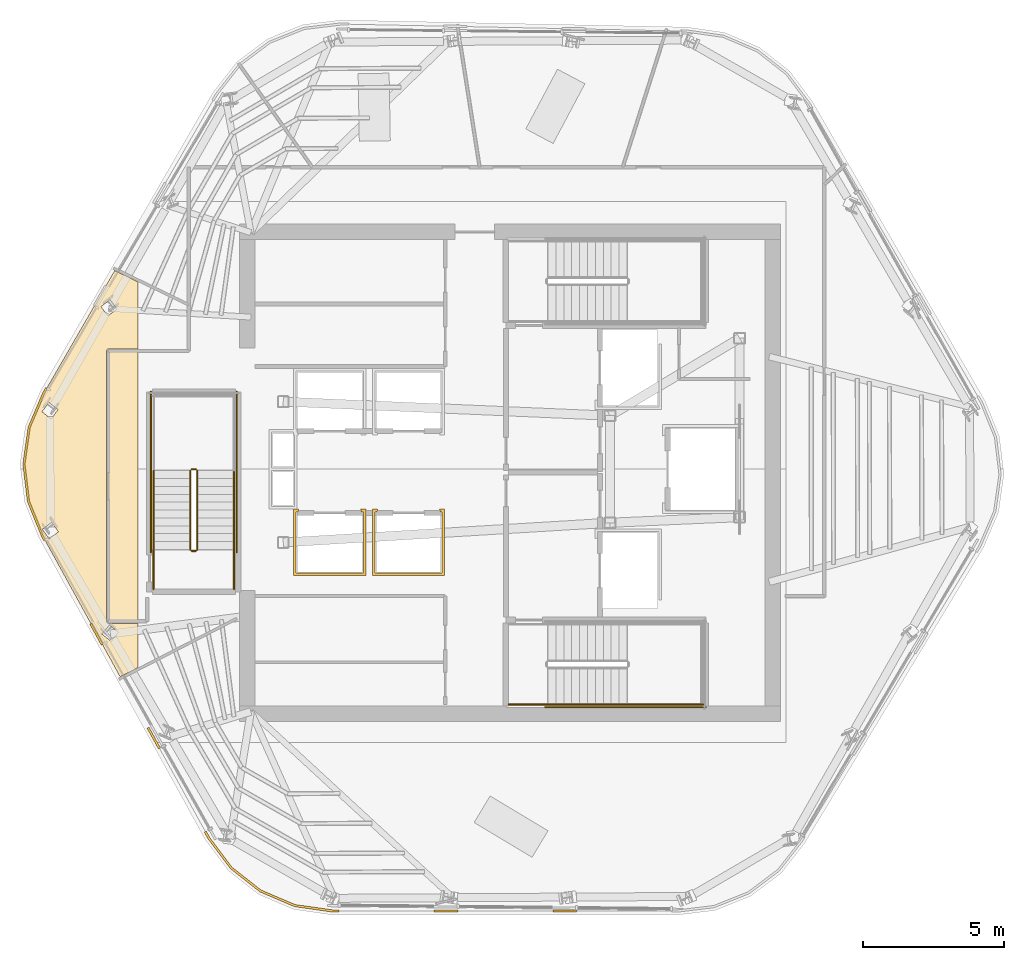
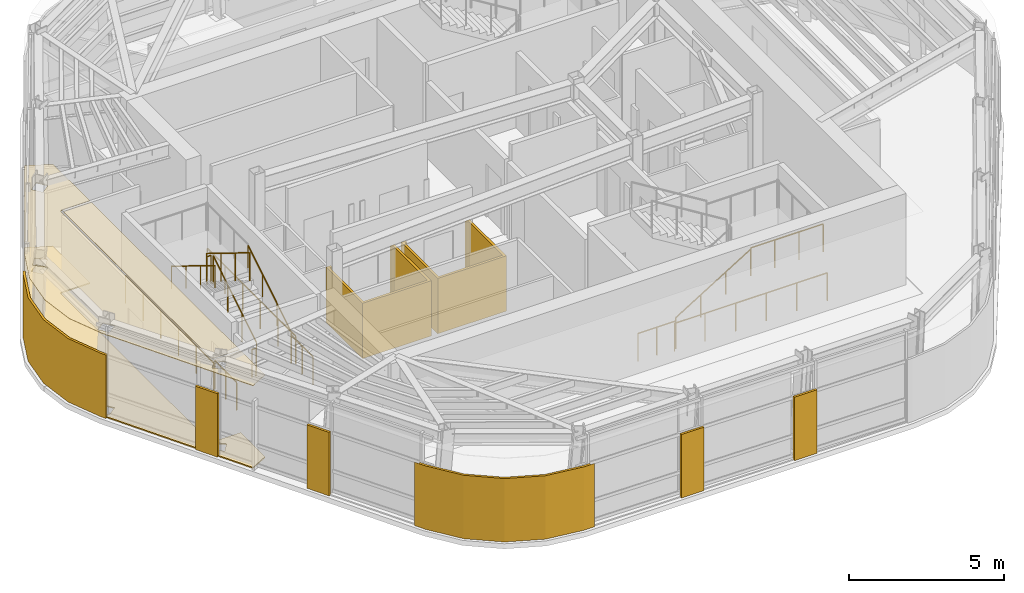
# One storey, part 9 of 13: 14 railings, 11 coverings.
"""IFC4 building model written with IfcOpenShell, lengths in metres."""

from ifc_helpers import new_model, si_unit, direction, frame, origin, origin_2d, place, context, subcontext, project, spatial, polyline, circle, outline, extrude, material, layer, layer_set, type_object, element, save


model = new_model("IFC4")

# Units and contexts
model_context = context("Model", 3, precision=1e-05, world=origin(), true_north=direction((0.0, 1.0)))
body_context = subcontext(model_context, "Body", "Model", "MODEL_VIEW")
ifc_project = project(units=[si_unit("LENGTHUNIT", "METRE"), si_unit("AREAUNIT", "SQUARE_METRE"), si_unit("VOLUMEUNIT", "CUBIC_METRE"), si_unit("PLANEANGLEUNIT", "RADIAN"), si_unit("MASSUNIT", "GRAM", prefix="KILO")], contexts=[model_context])

# Site, building, storey
site_placement = place(None, origin())
site = spatial("IfcSite", under=ifc_project, at=site_placement, CompositionType="ELEMENT")
building_placement = place(site_placement, origin())
building = spatial("IfcBuilding", under=site, at=building_placement, Name="Valkerne Bourse Tower", CompositionType="ELEMENT")
storey_placement = place(building_placement, frame((0.0, 0.0, 281.199951171875)))
storey = spatial("IfcBuildingStorey", under=building, at=storey_placement, Name="L71", CompositionType="ELEMENT", Elevation=281.199951171875)

# Coverings
ifc_material_1 = material(Name="Mineral Fiber Acoustic Ceiling Tile", Category="acoustic")
ifc_layer_1 = layer(ifc_material_1, 0.02490234375)
ifc_layer_set_1 = layer_set([ifc_layer_1], Name="Mineral Fiber Acoustic Ceiling Tile")
covering_type_1 = type_object("IfcCoveringType", Name="COV-CEIL-ACT", PredefinedType="CEILING", material=ifc_layer_set_1)
covering_1_placement = place(storey_placement, frame((0.0, 0.0, 3.25)))
element("IfcCovering", 1, at=covering_1_placement, inside=storey, type_object=covering_type_1, Name="L71 Suspended Ceiling 07", PredefinedType="CEILING", context=body_context, shape_type="SweptSolid", body=[
    extrude(outline(polyline([(29.550537109375, 27.1806640625), (29.736572265625, 28.487060546875), (30.25830078125, 29.710205078125), (32.767578125, 34.05029296875), (33.60009765625, 33.6455078125), (33.60009765625, 31.26904296875), (32.54931640625, 31.26904296875), (32.50830078125, 31.25537109375), (32.483154296875, 31.217529296875), (32.481689453125, 21.589111328125), (32.50390625, 21.54833984375), (32.54638671875, 21.531005859375), (33.60009765625, 21.531005859375), (33.60009765625, 19.963134765625), (32.959716796875, 19.633544921875), (30.205078125, 24.63671875), (29.709228515625, 25.87060546875), (29.550537109375, 27.1806640625)]), holes=[polyline([(32.888671875, 21.213623046875), (32.5693359375, 21.468505859375), (32.315185546875, 21.151123046875), (32.31591796875, 21.149169921875), (32.63525390625, 20.894287109375), (32.889404296875, 21.21142578125), (32.888671875, 21.213623046875)]), polyline([(30.7705078125, 24.78125), (30.526123046875, 25.108642578125), (30.19970703125, 24.8662109375), (30.2001953125, 24.86376953125), (30.444580078125, 24.536376953125), (30.770751953125, 24.779052734375), (30.7705078125, 24.78125)]), polyline([(30.7587890625, 29.1142578125), (30.43896484375, 29.365234375), (30.186279296875, 29.044189453125), (30.185791015625, 29.0419921875), (30.505615234375, 28.791015625), (30.758544921875, 29.11181640625), (30.7587890625, 29.1142578125)]), polyline([(32.853515625, 32.694580078125), (32.60791015625, 33.018310546875), (32.28173828125, 32.77197265625), (32.281005859375, 32.77001953125), (32.526611328125, 32.446044921875), (32.852783203125, 32.6923828125), (32.853515625, 32.694580078125)])]), origin(), (0.0, 0.0, 1.0), 0.025146484375),
])
ifc_material_2 = material(Name="Bronze Anodised Aluminium AA 6063-T6", Category="aluminium")
ifc_layer_2 = layer(ifc_material_2, 0.030029296875)
ifc_layer_set_2 = layer_set([ifc_layer_2], Name="Bronze Anodised Aluminium AA 6063-T6")
covering_type_2 = type_object("IfcCoveringType", Name="COV-CEIL-METAL", PredefinedType="CEILING", material=ifc_layer_set_2)
covering_2_placement = place(storey_placement, frame((0.0, 0.0, 3.25)))
element("IfcCovering", 2, at=covering_2_placement, inside=storey, type_object=covering_type_2, Name="L71 Suspended Ceiling 02", PredefinedType="CEILING", context=body_context, shape_type="SweptSolid", body=[
    extrude(outline(polyline([(32.553955078125, 21.60400390625), (32.553955078125, 31.196044921875), (33.60009765625, 31.196044921875), (33.60009765625, 21.60400390625), (32.553955078125, 21.60400390625)])), origin(), (0.0, 0.0, 1.0), 0.025146484375),
])
ifc_layer_3 = layer(ifc_material_2, 0.06005859375)
ifc_layer_set_3 = layer_set([ifc_layer_3], Name="Bronze Anodised Aluminium AA 6063-T6")
covering_type_3 = type_object("IfcCoveringType", Name="COV-CRN-ALUM", PredefinedType="CLADDING", material=ifc_layer_set_3)
covering_3_placement = place(storey_placement, origin())
element("IfcCovering", 3, at=covering_3_placement, inside=storey, type_object=covering_type_3, Name="L71 Wind-Shaped Corner Aluminium Cladding 05", PredefinedType="CLADDING", context=body_context, shape_type="SweptSolid", body=[
    extrude(outline(polyline([(48.321533203125, 11.27783203125), (48.322265625, 11.35791015625), (49.162353515625, 11.357421875), (49.161376953125, 11.27734375), (48.321533203125, 11.27783203125)])), origin(), (0.0, 0.0, 1.0), 2.5),
])
covering_4_placement = place(storey_placement, origin())
element("IfcCovering", 4, at=covering_4_placement, inside=storey, type_object=covering_type_3, Name="L71 Wind-Shaped Corner Aluminium Cladding 06", PredefinedType="CLADDING", context=body_context, shape_type="SweptSolid", body=[
    extrude(outline(polyline([(44.109375, 11.280517578125), (44.110107421875, 11.3603515625), (44.9501953125, 11.35986328125), (44.94921875, 11.27978515625), (44.109375, 11.280517578125)])), origin(), (0.0, 0.0, 1.0), 2.5),
])
covering_5_placement = place(storey_placement, origin())
element("IfcCovering", 5, at=covering_5_placement, inside=storey, type_object=covering_type_3, Name="L71 Wind-Shaped Corner Aluminium Cladding 07", PredefinedType="CLADDING", context=body_context, shape_type="SweptSolid", body=[
    extrude(outline(polyline([(40.473388671875, 11.28271484375), (39.1494140625, 11.470947265625), (37.925048828125, 11.9931640625), (36.87744140625, 12.814697265625), (36.07470703125, 13.884033203125), (35.876708984375, 14.243408203125), (35.94873046875, 14.11572265625), (36.01708984375, 14.154296875), (36.14208984375, 13.927490234375), (36.93505859375, 12.87109375), (37.966064453125, 12.062744140625), (39.171142578125, 11.548583984375), (40.47900390625, 11.362548828125), (40.73779296875, 11.3623046875), (40.737060546875, 11.28369140625), (40.876220703125, 11.282470703125), (40.473388671875, 11.28271484375)])), origin(), (0.0, 0.0, 1.0), 2.5),
])
covering_6_placement = place(storey_placement, origin())
element("IfcCovering", 6, at=covering_6_placement, inside=storey, type_object=covering_type_3, Name="L71 Wind-Shaped Corner Aluminium Cladding 08", PredefinedType="CLADDING", context=body_context, shape_type="SweptSolid", body=[
    extrude(outline(polyline([(33.916015625, 17.804931640625), (33.985595703125, 17.84423828125), (34.390869140625, 17.1083984375), (34.321044921875, 17.069091796875), (33.916015625, 17.804931640625)])), origin(), (0.0, 0.0, 1.0), 2.5),
])
covering_7_placement = place(storey_placement, origin())
element("IfcCovering", 7, at=covering_7_placement, inside=storey, type_object=covering_type_3, Name="L71 Wind-Shaped Corner Aluminium Cladding 09", PredefinedType="CLADDING", context=body_context, shape_type="SweptSolid", body=[
    extrude(outline(polyline([(31.884521484375, 21.4951171875), (31.954345703125, 21.5341796875), (32.359375, 20.79833984375), (32.289794921875, 20.759033203125), (31.884521484375, 21.4951171875)])), origin(), (0.0, 0.0, 1.0), 2.5),
])
covering_8_placement = place(storey_placement, origin())
element("IfcCovering", 8, at=covering_8_placement, inside=storey, type_object=covering_type_3, Name="L71 Wind-Shaped Corner Aluminium Cladding 10", PredefinedType="CLADDING", context=body_context, shape_type="SweptSolid", body=[
    extrude(outline(polyline([(30.165283203125, 24.617919921875), (29.666259765625, 25.859619140625), (29.50634765625, 27.18115234375), (29.69384765625, 28.4990234375), (30.218994140625, 29.72998046875), (30.3154296875, 29.896728515625), (30.38427734375, 29.85595703125), (30.29052734375, 29.694091796875), (29.771484375, 28.477294921875), (29.5869140625, 27.180419921875), (29.744384765625, 25.879638671875), (30.23779296875, 24.65234375), (30.327880859375, 24.48828125), (30.25830078125, 24.44921875), (30.165283203125, 24.617919921875)])), origin(), (0.0, 0.0, 1.0), 2.5),
])
ifc_material_3 = material(Name="Galvanised Painted Steel", Category="steel")
ifc_layer_4 = layer(ifc_material_3, 0.044921875)
ifc_layer_set_4 = layer_set([ifc_layer_4], Name="Galvanised Painted Steel")
covering_type_4 = type_object("IfcCoveringType", Name="COV-FLR-RAF", PredefinedType="FLOORING", material=ifc_layer_set_4)
covering_9_placement = place(storey_placement, origin())
element("IfcCovering", 9, at=covering_9_placement, inside=storey, type_object=covering_type_4, Name="L71 Floor Finish 07", PredefinedType="FLOORING", context=body_context, shape_type="SweptSolid", body=[
    extrude(outline(polyline([(29.550537109375, 27.1806640625), (29.736572265625, 28.487060546875), (30.25830078125, 29.710205078125), (32.767578125, 34.05029296875), (33.60009765625, 33.6455078125), (33.60009765625, 31.26904296875), (32.54931640625, 31.26904296875), (32.50830078125, 31.25537109375), (32.483154296875, 31.217529296875), (32.481689453125, 21.589111328125), (32.50390625, 21.54833984375), (32.54638671875, 21.531005859375), (33.60009765625, 21.531005859375), (33.60009765625, 19.963134765625), (32.959716796875, 19.633544921875), (30.205078125, 24.63671875), (29.709228515625, 25.87060546875), (29.550537109375, 27.1806640625)]), holes=[polyline([(32.888671875, 21.213623046875), (32.5693359375, 21.468505859375), (32.315185546875, 21.151123046875), (32.31591796875, 21.149169921875), (32.63525390625, 20.894287109375), (32.889404296875, 21.21142578125), (32.888671875, 21.213623046875)]), polyline([(30.7705078125, 24.78125), (30.526123046875, 25.108642578125), (30.19970703125, 24.8662109375), (30.2001953125, 24.86376953125), (30.444580078125, 24.536376953125), (30.770751953125, 24.779052734375), (30.7705078125, 24.78125)]), polyline([(30.7587890625, 29.1142578125), (30.43896484375, 29.365234375), (30.186279296875, 29.044189453125), (30.185791015625, 29.0419921875), (30.505615234375, 28.791015625), (30.758544921875, 29.11181640625), (30.7587890625, 29.1142578125)]), polyline([(32.853515625, 32.694580078125), (32.60791015625, 33.018310546875), (32.28173828125, 32.77197265625), (32.281005859375, 32.77001953125), (32.526611328125, 32.446044921875), (32.852783203125, 32.6923828125), (32.853515625, 32.694580078125)])]), origin(), (0.0, 0.0, 1.0), 0.045166015625),
])
ifc_material_4 = material(Name="Gypsum Shaftwall Liner Board", Category="gypsum")
ifc_layer_5 = layer(ifc_material_4, 0.080078125)
ifc_layer_set_5 = layer_set([ifc_layer_5], Name="Gypsum Shaftwall Liner Board")
covering_type_5 = type_object("IfcCoveringType", Name="COV-SHF-CLAD", PredefinedType="CLADDING", material=ifc_layer_set_5)
covering_10_placement = place(storey_placement, origin())
element("IfcCovering", 10, at=covering_10_placement, inside=storey, type_object=covering_type_5, Name="L71 Hoistway & Riser Shaftwall Liner 02", PredefinedType="CLADDING", context=body_context, shape_type="SweptSolid", body=[
    extrude(outline(polyline([(39.29931640625, 25.580078125), (39.28857421875, 25.537841796875), (39.2822265625, 25.494140625), (39.281982421875, 25.489990234375), (39.2099609375, 25.489990234375), (39.2099609375, 23.31005859375), (41.590087890625, 23.31005859375), (41.590087890625, 25.489990234375), (41.51806640625, 25.489990234375), (41.517822265625, 25.494140625), (41.511474609375, 25.537841796875), (41.500732421875, 25.580078125), (41.679931640625, 25.580078125), (41.679931640625, 23.219970703125), (39.1201171875, 23.219970703125), (39.1201171875, 25.580078125), (39.29931640625, 25.580078125)])), origin(), (0.0, 0.0, 1.0), 2.179931640625),
])
covering_11_placement = place(storey_placement, origin())
element("IfcCovering", 11, at=covering_11_placement, inside=storey, type_object=covering_type_5, Name="L71 Hoistway & Riser Shaftwall Liner 03", PredefinedType="CLADDING", context=body_context, shape_type="SweptSolid", body=[
    extrude(outline(polyline([(42.09912109375, 25.580078125), (42.088623046875, 25.537841796875), (42.082275390625, 25.494140625), (42.08203125, 25.489990234375), (42.010009765625, 25.489990234375), (42.010009765625, 23.31005859375), (44.389892578125, 23.31005859375), (44.389892578125, 25.489990234375), (44.318115234375, 25.489990234375), (44.31787109375, 25.494140625), (44.311279296875, 25.537841796875), (44.30078125, 25.580078125), (44.47998046875, 25.580078125), (44.47998046875, 23.219970703125), (41.919921875, 23.219970703125), (41.919921875, 25.580078125), (42.09912109375, 25.580078125)])), origin(), (0.0, 0.0, 1.0), 2.179931640625),
])

# Railings
railing_type_1 = type_object("IfcRailingType", Name="RLG-ST-GUARD-1120", PredefinedType="GUARDRAIL", material=ifc_material_3)
railing_1_placement = place(storey_placement, frame((50.949951171875, 18.64990234375, 1.900146484375)))
element("IfcRailing", 12, at=railing_1_placement, inside=storey, type_object=railing_type_1, Name="L71 ST-1 stair guard 3", PredefinedType="GUARDRAIL", context=body_context, shape_type="SweptSolid", body=[
    extrude(circle(Radius=0.02392578125, at=origin_2d()), frame((0.0, 0.0, 1.09619140625), z_axis=(1.0, 0.0, 0.0), x_axis=(0.0, 1.0, 0.0)), (0.0, 0.0, 1.0), 2.699951171875),
    extrude(circle(Radius=0.02099609375, at=origin_2d()), origin(), (0.0, 0.0, 1.0), 1.072021484375),
    extrude(circle(Radius=0.02099609375, at=origin_2d()), frame((0.89990234375, 0.0, 0.0)), (0.0, 0.0, 1.0), 1.072021484375),
    extrude(circle(Radius=0.02099609375, at=origin_2d()), frame((1.800048828125, 0.0, 0.0)), (0.0, 0.0, 1.0), 1.072021484375),
    extrude(circle(Radius=0.02099609375, at=origin_2d()), frame((2.699951171875, 0.0, 0.0)), (0.0, 0.0, 1.0), 1.072021484375),
])
railing_2_placement = place(storey_placement, frame((46.75, 18.64990234375, 0.0)))
element("IfcRailing", 13, at=railing_2_placement, inside=storey, type_object=railing_type_1, Name="L71 ST-1 stair guard 8", PredefinedType="GUARDRAIL", context=body_context, shape_type="SweptSolid", body=[
    extrude(circle(Radius=0.02392578125, at=origin_2d()), frame((0.0, 0.0, 1.09619140625), z_axis=(1.0, 0.0, 0.0), x_axis=(0.0, 1.0, 0.0)), (0.0, 0.0, 1.0), 1.39990234375),
    extrude(circle(Radius=0.02099609375, at=origin_2d()), origin(), (0.0, 0.0, 1.0), 1.072021484375),
    extrude(circle(Radius=0.02099609375, at=origin_2d()), frame((0.699951171875, 0.0, 0.0)), (0.0, 0.0, 1.0), 1.072021484375),
    extrude(circle(Radius=0.02099609375, at=origin_2d()), frame((1.39990234375, 0.0, 0.0)), (0.0, 0.0, 1.0), 1.072021484375),
])
railing_3_placement = place(storey_placement, frame((48.050048828125, 18.550048828125, 0.0)))
element("IfcRailing", 14, at=railing_3_placement, inside=storey, type_object=railing_type_1, Name="L71 ST-1 stair guard 10", PredefinedType="GUARDRAIL", context=body_context, shape_type="SweptSolid", body=[
    extrude(circle(Radius=0.02392578125, at=origin_2d()), frame((0.0, 0.0, 1.09619140625), z_axis=(1.0, 0.0, 0.0), x_axis=(0.0, 1.0, 0.0)), (0.0, 0.0, 1.0), 5.699951171875),
    extrude(circle(Radius=0.02099609375, at=origin_2d()), origin(), (0.0, 0.0, 1.0), 1.072021484375),
    extrude(circle(Radius=0.02099609375, at=origin_2d()), frame((1.139892578125, 0.0, 0.0)), (0.0, 0.0, 1.0), 1.072021484375),
    extrude(circle(Radius=0.02099609375, at=origin_2d()), frame((2.280029296875, 0.0, 0.0)), (0.0, 0.0, 1.0), 1.072021484375),
    extrude(circle(Radius=0.02099609375, at=origin_2d()), frame((3.419921875, 0.0, 0.0)), (0.0, 0.0, 1.0), 1.072021484375),
    extrude(circle(Radius=0.02099609375, at=origin_2d()), frame((4.56005859375, 0.0, 0.0)), (0.0, 0.0, 1.0), 1.072021484375),
    extrude(circle(Radius=0.02099609375, at=origin_2d()), frame((5.699951171875, 0.0, 0.0)), (0.0, 0.0, 1.0), 1.072021484375),
])
railing_4_placement = place(storey_placement, frame((35.699951171875, 24.14990234375, 0.1728515625)))
element("IfcRailing", 15, at=railing_4_placement, inside=storey, type_object=railing_type_1, Name="L71 ST-3 stair guard 1", PredefinedType="GUARDRAIL", context=body_context, shape_type="SweptSolid", body=[
    extrude(circle(Radius=0.02392578125, at=origin_2d()), frame((0.0, 0.0, 1.09619140625), z_axis=(0.0, 0.851089632645, 0.525020415988), x_axis=(-1.0, 0.0, 0.0)), (0.0, 0.0, 1.0), 3.2900390625),
    extrude(circle(Radius=0.02099609375, at=origin_2d()), origin(), (0.0, 0.0, 1.0), 1.072021484375),
    extrude(circle(Radius=0.02099609375, at=origin_2d()), frame((0.0, 0.933349609375, 0.57568359375)), (0.0, 0.0, 1.0), 1.072021484375),
    extrude(circle(Radius=0.02099609375, at=origin_2d()), frame((0.0, 1.86669921875, 1.151611328125)), (0.0, 0.0, 1.0), 1.072021484375),
    extrude(circle(Radius=0.02099609375, at=origin_2d()), frame((0.0, 2.800048828125, 1.727294921875)), (0.0, 0.0, 1.0), 1.072021484375),
])
railing_5_placement = place(storey_placement, frame((35.64990234375, 27.0, 1.900146484375)))
element("IfcRailing", 16, at=railing_5_placement, inside=storey, type_object=railing_type_1, Name="L71 ST-3 stair guard 2", PredefinedType="GUARDRAIL", context=body_context, shape_type="SweptSolid", body=[
    extrude(circle(Radius=0.02392578125, at=origin_2d()), frame((0.0, 0.0, 1.09619140625), z_axis=(-1.0, 0.0, 0.0), x_axis=(0.0, -1.0, 0.0)), (0.0, 0.0, 1.0), 0.14990234375),
    extrude(circle(Radius=0.02099609375, at=origin_2d()), origin(), (0.0, 0.0, 1.0), 1.072021484375),
    extrude(circle(Radius=0.02099609375, at=origin_2d()), frame((-0.14990234375, 0.0, 0.0)), (0.0, 0.0, 1.0), 1.072021484375),
])
railing_6_placement = place(storey_placement, frame((35.449951171875, 26.949951171875, 2.07275390625)))
element("IfcRailing", 17, at=railing_6_placement, inside=storey, type_object=railing_type_1, Name="L71 ST-3 stair guard 6", PredefinedType="GUARDRAIL", context=body_context, shape_type="SweptSolid", body=[
    extrude(circle(Radius=0.02392578125, at=origin_2d()), frame((0.0, 0.0, 1.09619140625), z_axis=(0.0, -0.851089632645, 0.525020415988), x_axis=(1.0, 0.0, 0.0)), (0.0, 0.0, 1.0), 3.2900390625),
    extrude(circle(Radius=0.02099609375, at=origin_2d()), origin(), (0.0, 0.0, 1.0), 1.072021484375),
    extrude(circle(Radius=0.02099609375, at=origin_2d()), frame((0.0, -0.933349609375, 0.57568359375)), (0.0, 0.0, 1.0), 1.072021484375),
    extrude(circle(Radius=0.02099609375, at=origin_2d()), frame((0.0, -1.86669921875, 1.151611328125)), (0.0, 0.0, 1.0), 1.072021484375),
    extrude(circle(Radius=0.02099609375, at=origin_2d()), frame((0.0, -2.800048828125, 1.727294921875)), (0.0, 0.0, 1.0), 1.072021484375),
])
railing_7_placement = place(storey_placement, frame((35.64990234375, 24.10009765625, 0.0)))
element("IfcRailing", 18, at=railing_7_placement, inside=storey, type_object=railing_type_1, Name="L71 ST-3 stair guard 7", PredefinedType="GUARDRAIL", context=body_context, shape_type="SweptSolid", body=[
    extrude(circle(Radius=0.02392578125, at=origin_2d()), frame((0.0, 0.0, 1.09619140625), z_axis=(-1.0, 0.0, 0.0), x_axis=(0.0, -1.0, 0.0)), (0.0, 0.0, 1.0), 0.14990234375),
    extrude(circle(Radius=0.02099609375, at=origin_2d()), origin(), (0.0, 0.0, 1.0), 1.072021484375),
    extrude(circle(Radius=0.02099609375, at=origin_2d()), frame((-0.14990234375, 0.0, 0.0)), (0.0, 0.0, 1.0), 1.072021484375),
])
for number, where, name in (
    (19, (37.0, 22.75, 0.0), "L71 ST-3 stair guard 8"),
    (20, (34.14990234375, 22.75, 0.0), "L71 ST-3 stair guard 9"),
):
    element("IfcRailing", number, at=place(storey_placement, frame(where)), inside=storey, type_object=railing_type_1, Name=name, PredefinedType="GUARDRAIL", context=body_context, shape_type="SweptSolid", body=[
        extrude(circle(Radius=0.02392578125, at=origin_2d()), frame((0.0, 0.0, 1.09619140625), z_axis=(0.0, 1.0, 0.0), x_axis=(-1.0, 0.0, 0.0)), (0.0, 0.0, 1.0), 1.39990234375),
        extrude(circle(Radius=0.02099609375, at=origin_2d()), origin(), (0.0, 0.0, 1.0), 1.072021484375),
        extrude(circle(Radius=0.02099609375, at=origin_2d()), frame((0.0, 0.699951171875, 0.0)), (0.0, 0.0, 1.0), 1.072021484375),
        extrude(circle(Radius=0.02099609375, at=origin_2d()), frame((0.0, 1.39990234375, 0.0)), (0.0, 0.0, 1.0), 1.072021484375),
    ])
for number, where, name in (
    (21, (37.10009765625, 24.050048828125, 0.0), "L71 ST-3 stair guard 10"),
    (22, (34.050048828125, 24.050048828125, 0.0), "L71 ST-3 stair guard 11"),
):
    element("IfcRailing", number, at=place(storey_placement, frame(where)), inside=storey, type_object=railing_type_1, Name=name, PredefinedType="GUARDRAIL", context=body_context, shape_type="SweptSolid", body=[
        extrude(circle(Radius=0.02392578125, at=origin_2d()), frame((0.0, 0.0, 1.09619140625), z_axis=(0.0, 1.0, 0.0), x_axis=(-1.0, 0.0, 0.0)), (0.0, 0.0, 1.0), 5.699951171875),
        extrude(circle(Radius=0.02099609375, at=origin_2d()), origin(), (0.0, 0.0, 1.0), 1.072021484375),
        extrude(circle(Radius=0.02099609375, at=origin_2d()), frame((0.0, 1.139892578125, 0.0)), (0.0, 0.0, 1.0), 1.072021484375),
        extrude(circle(Radius=0.02099609375, at=origin_2d()), frame((0.0, 2.280029296875, 0.0)), (0.0, 0.0, 1.0), 1.072021484375),
        extrude(circle(Radius=0.02099609375, at=origin_2d()), frame((0.0, 3.419921875, 0.0)), (0.0, 0.0, 1.0), 1.072021484375),
        extrude(circle(Radius=0.02099609375, at=origin_2d()), frame((0.0, 4.56005859375, 0.0)), (0.0, 0.0, 1.0), 1.072021484375),
        extrude(circle(Radius=0.02099609375, at=origin_2d()), frame((0.0, 5.699951171875, 0.0)), (0.0, 0.0, 1.0), 1.072021484375),
    ])
ifc_material_5 = material(Name="Stainless Steel AISI 316", Category="steel")
railing_type_2 = type_object("IfcRailingType", Name="RLG-ST-HANDRAIL-900", PredefinedType="HANDRAIL", material=ifc_material_5)
railing_8_placement = place(storey_placement, frame((48.14990234375, 18.64990234375, 0.345458984375)))
element("IfcRailing", 23, at=railing_8_placement, inside=storey, type_object=railing_type_2, Name="L71 ST-1 stair handrail 1", PredefinedType="HANDRAIL", context=body_context, shape_type="SweptSolid", body=[
    extrude(circle(Radius=0.02392578125, at=origin_2d()), frame((0.0, 0.0, 0.8759765625), z_axis=(0.851089632645, 0.0, 0.525020415988), x_axis=(0.0, 1.0, 0.0)), (0.0, 0.0, 1.0), 3.2900390625),
    extrude(circle(Radius=0.02099609375, at=origin_2d()), origin(), (0.0, 0.0, 1.0), 0.851806640625),
    extrude(circle(Radius=0.02099609375, at=origin_2d()), frame((0.933349609375, 0.0, 0.57568359375)), (0.0, 0.0, 1.0), 0.851806640625),
    extrude(circle(Radius=0.02099609375, at=origin_2d()), frame((1.86669921875, 0.0, 1.151611328125)), (0.0, 0.0, 1.0), 0.851806640625),
    extrude(circle(Radius=0.02099609375, at=origin_2d()), frame((2.800048828125, 0.0, 1.727294921875)), (0.0, 0.0, 1.0), 0.851806640625),
])
railing_9_placement = place(storey_placement, frame((37.0, 24.14990234375, 0.345458984375)))
element("IfcRailing", 24, at=railing_9_placement, inside=storey, type_object=railing_type_2, Name="L71 ST-3 stair handrail 1", PredefinedType="HANDRAIL", context=body_context, shape_type="SweptSolid", body=[
    extrude(circle(Radius=0.02392578125, at=origin_2d()), frame((0.0, 0.0, 0.8759765625), z_axis=(0.0, 0.851089632645, 0.525020415988), x_axis=(-1.0, 0.0, 0.0)), (0.0, 0.0, 1.0), 3.2900390625),
    extrude(circle(Radius=0.02099609375, at=origin_2d()), origin(), (0.0, 0.0, 1.0), 0.851806640625),
    extrude(circle(Radius=0.02099609375, at=origin_2d()), frame((0.0, 0.933349609375, 0.57568359375)), (0.0, 0.0, 1.0), 0.851806640625),
    extrude(circle(Radius=0.02099609375, at=origin_2d()), frame((0.0, 1.86669921875, 1.151611328125)), (0.0, 0.0, 1.0), 0.851806640625),
    extrude(circle(Radius=0.02099609375, at=origin_2d()), frame((0.0, 2.800048828125, 1.727294921875)), (0.0, 0.0, 1.0), 0.851806640625),
])
railing_10_placement = place(storey_placement, frame((34.14990234375, 26.949951171875, 2.24560546875)))
element("IfcRailing", 25, at=railing_10_placement, inside=storey, type_object=railing_type_2, Name="L71 ST-3 stair handrail 2", PredefinedType="HANDRAIL", context=body_context, shape_type="SweptSolid", body=[
    extrude(circle(Radius=0.02392578125, at=origin_2d()), frame((0.0, 0.0, 0.8759765625), z_axis=(0.0, -0.851122791225, 0.524966660138), x_axis=(1.0, 0.0, 0.0)), (0.0, 0.0, 1.0), 3.289794921875),
    extrude(circle(Radius=0.02099609375, at=origin_2d()), origin(), (0.0, 0.0, 1.0), 0.851806640625),
    extrude(circle(Radius=0.02099609375, at=origin_2d()), frame((0.0, -0.933349609375, 0.57568359375)), (0.0, 0.0, 1.0), 0.851806640625),
    extrude(circle(Radius=0.02099609375, at=origin_2d()), frame((0.0, -1.86669921875, 1.1513671875)), (0.0, 0.0, 1.0), 0.851806640625),
    extrude(circle(Radius=0.02099609375, at=origin_2d()), frame((0.0, -2.800048828125, 1.72705078125)), (0.0, 0.0, 1.0), 0.851806640625),
])

save(model, "model.ifc")
